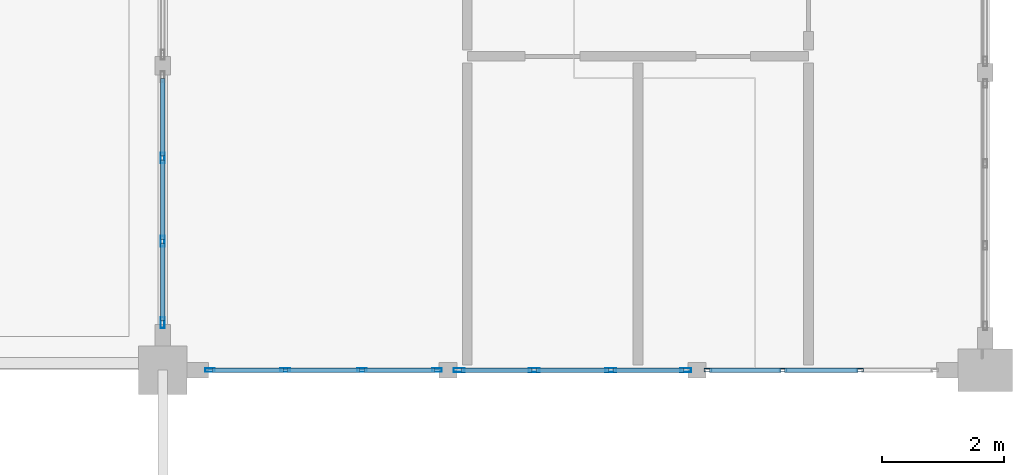
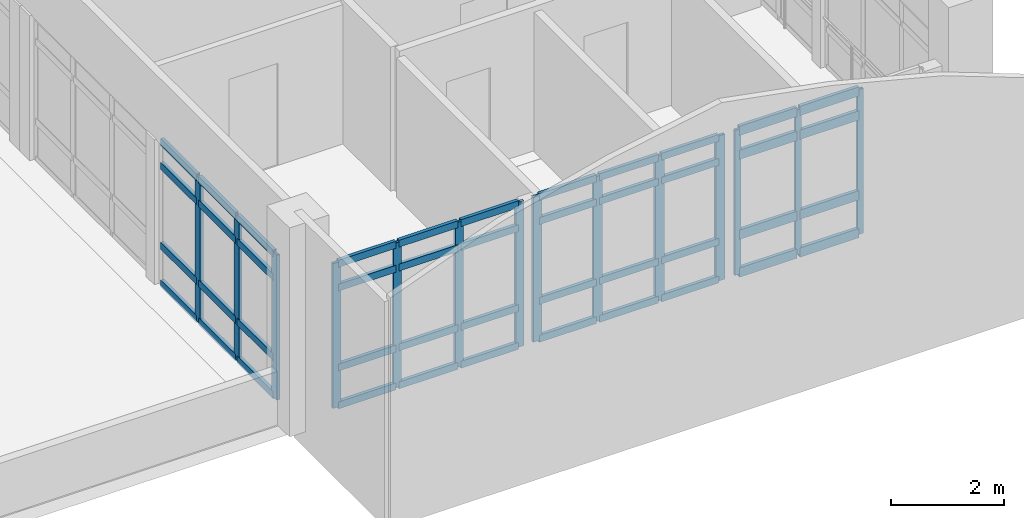
# One storey, part 2 of 37: 58 members, 4 elements without a shape of their own.
"""IFC4 building model written with IfcOpenShell, lengths in metres."""

from ifc_helpers import new_model, si_unit, direction, frame, origin, origin_2d, place, context, subcontext, project, spatial, hollow_rectangle, extrude, material, layer, layer_set, material_profile, profile_set, type_object, element, aggregate, save


model = new_model("IFC4")

# Units and contexts
model_context = context("Model", 3, precision=1e-05, world=origin(), true_north=direction((0.0, 1.0)))
body_context = subcontext(model_context, "Body", "Model", "MODEL_VIEW")
ifc_project = project(units=[si_unit("LENGTHUNIT", "METRE"), si_unit("AREAUNIT", "SQUARE_METRE"), si_unit("VOLUMEUNIT", "CUBIC_METRE"), si_unit("PLANEANGLEUNIT", "RADIAN"), si_unit("MASSUNIT", "GRAM", prefix="KILO")], contexts=[model_context])

# Site, building, storey
site_placement = place(None, origin())
site = spatial("IfcSite", under=ifc_project, at=site_placement, CompositionType="ELEMENT")
building_placement = place(site_placement, origin())
building = spatial("IfcBuilding", under=site, at=building_placement, Name="Fikremerkos Civic Library", CompositionType="ELEMENT")
storey_placement = place(building_placement, frame((0.0, 0.0, 23.39990234375)))
storey = spatial("IfcBuildingStorey", under=building, at=storey_placement, Name="L05", CompositionType="ELEMENT", Elevation=23.39990234375)

# Curtain wall, members
ifc_material = material(Name="Anodized aluminium Frame", Category="aluminium")
ifc_layer_1 = layer(ifc_material, 0.159912109375, Name="Anodized aluminium Frame")
ifc_layer_set_1 = layer_set([ifc_layer_1], Name="Anodized aluminium Frame")
curtain_wall_type_1 = type_object("IfcCurtainWallType", Name="Unitised curtain wall CW-17 4600x3600", PredefinedType="USERDEFINED", material=ifc_layer_set_1)
curtain_wall_1_placement = place(storey_placement, origin())
curtain_wall_1 = element("IfcCurtainWall", 1, at=curtain_wall_1_placement, inside=storey, type_object=curtain_wall_type_1, Name="Unitised curtain wall CW-17 L05 #251", ObjectType="UNITISED CURTAIN WALL", PredefinedType="USERDEFINED")
ifc_material_profile_1 = material_profile(ifc_material, hollow_rectangle(XDim=0.06494140625, YDim=0.179931640625, WallThickness=0.00439453125, at=origin_2d()), Name="ALU 180x65x4.5")
ifc_profile_set_1 = profile_set([ifc_material_profile_1], Name="Anodized aluminium Frame")
member_type_1 = type_object("IfcMemberType", Name="Curtain mullion CWM-01 ALU 180x65x4.5", PredefinedType="MULLION", material=ifc_profile_set_1)
member_1_placement = place(storey_placement, frame((27.784912109375, 12.0, 0.0), z_axis=(0.0, 0.0, 1.0), x_axis=(0.0, -1.0, 0.0)))
member_1 = element("IfcMember", 2, at=member_1_placement, type_object=member_type_1, Name="CW-17 mullion 1", PredefinedType="MULLION", context=body_context, shape_type="SweptSolid", body=[
    extrude(hollow_rectangle(XDim=0.06494140625, YDim=0.179931640625, WallThickness=0.00439453125, at=origin_2d()), origin(), (0.0, 0.0, 1.0), 3.1201171875),
])
member_2_placement = place(storey_placement, frame((26.5556640625, 12.0, 0.0), z_axis=(0.0, 0.0, 1.0), x_axis=(0.0, -1.0, 0.0)))
member_2 = element("IfcMember", 3, at=member_2_placement, type_object=member_type_1, Name="CW-17 mullion 2", PredefinedType="MULLION", context=body_context, shape_type="SweptSolid", body=[
    extrude(hollow_rectangle(XDim=0.06494140625, YDim=0.179931640625, WallThickness=0.00439453125, at=origin_2d()), origin(), (0.0, 0.0, 1.0), 3.1201171875),
])
member_3_placement = place(storey_placement, frame((25.294189453125, 12.0, 0.0), z_axis=(0.0, 0.0, 1.0), x_axis=(0.0, -1.0, 0.0)))
member_3 = element("IfcMember", 4, at=member_3_placement, type_object=member_type_1, Name="CW-17 mullion 3", PredefinedType="MULLION", context=body_context, shape_type="SweptSolid", body=[
    extrude(hollow_rectangle(XDim=0.06494140625, YDim=0.179931640625, WallThickness=0.00439453125, at=origin_2d()), origin(), (0.0, 0.0, 1.0), 3.1201171875),
])
member_4_placement = place(storey_placement, frame((24.065185546875, 12.0, 0.0), z_axis=(0.0, 0.0, 1.0), x_axis=(0.0, -1.0, 0.0)))
member_4 = element("IfcMember", 5, at=member_4_placement, type_object=member_type_1, Name="CW-17 mullion 4", PredefinedType="MULLION", context=body_context, shape_type="SweptSolid", body=[
    extrude(hollow_rectangle(XDim=0.06494140625, YDim=0.179931640625, WallThickness=0.00439453125, at=origin_2d()), origin(), (0.0, 0.0, 1.0), 3.1201171875),
])

ifc_layer_2 = layer(ifc_material, 0.159912109375, Name="Anodized aluminium Frame")
ifc_layer_set_2 = layer_set([ifc_layer_2], Name="Anodized aluminium Frame")
curtain_wall_type_2 = type_object("IfcCurtainWallType", Name="Unitised curtain wall CW-01 3600x3600", PredefinedType="USERDEFINED", material=ifc_layer_set_2)
curtain_wall_2_placement = place(storey_placement, origin())
curtain_wall_2 = element("IfcCurtainWall", 6, at=curtain_wall_2_placement, inside=storey, type_object=curtain_wall_type_2, Name="Unitised curtain wall CW-01 L05 #253", ObjectType="UNITISED CURTAIN WALL", PredefinedType="USERDEFINED")
member_5_placement = place(storey_placement, frame((19.199951171875, 12.780517578125, 0.0), z_axis=(0.0, 0.0, 1.0), x_axis=(-1.0, 0.0, 0.0)))
member_5 = element("IfcMember", 7, at=member_5_placement, type_object=member_type_1, Name="CW-01 mullion 1", PredefinedType="MULLION", context=body_context, shape_type="SweptSolid", body=[
    extrude(hollow_rectangle(XDim=0.06494140625, YDim=0.179931640625, WallThickness=0.00439453125, at=origin_2d()), origin(), (0.0, 0.0, 1.0), 3.1201171875),
])
member_6_placement = place(storey_placement, frame((19.199951171875, 14.11474609375, 0.0), z_axis=(0.0, 0.0, 1.0), x_axis=(-1.0, 0.0, 0.0)))
member_6 = element("IfcMember", 8, at=member_6_placement, type_object=member_type_1, Name="CW-01 mullion 2", PredefinedType="MULLION", context=body_context, shape_type="SweptSolid", body=[
    extrude(hollow_rectangle(XDim=0.06494140625, YDim=0.179931640625, WallThickness=0.00439453125, at=origin_2d()), origin(), (0.0, 0.0, 1.0), 3.1201171875),
])
member_7_placement = place(storey_placement, frame((19.199951171875, 15.4814453125, 0.0), z_axis=(0.0, 0.0, 1.0), x_axis=(-1.0, 0.0, 0.0)))
member_7 = element("IfcMember", 9, at=member_7_placement, type_object=member_type_1, Name="CW-01 mullion 3", PredefinedType="MULLION", context=body_context, shape_type="SweptSolid", body=[
    extrude(hollow_rectangle(XDim=0.06494140625, YDim=0.179931640625, WallThickness=0.00439453125, at=origin_2d()), origin(), (0.0, 0.0, 1.0), 3.1201171875),
])

ifc_layer_3 = layer(ifc_material, 0.159912109375, Name="Anodized aluminium Frame")
ifc_layer_set_3 = layer_set([ifc_layer_3], Name="Anodized aluminium Frame")
curtain_wall_type_3 = type_object("IfcCurtainWallType", Name="Unitised curtain wall CW-18 2700x3400", PredefinedType="USERDEFINED", material=ifc_layer_set_3)
curtain_wall_3_placement = place(storey_placement, origin())
curtain_wall_3 = element("IfcCurtainWall", 10, at=curtain_wall_3_placement, inside=storey, type_object=curtain_wall_type_3, Name="Unitised curtain wall CW-18 L05 #252", ObjectType="UNITISED CURTAIN WALL", PredefinedType="USERDEFINED")
ifc_material_profile_2 = material_profile(ifc_material, hollow_rectangle(XDim=0.06005859375, YDim=0.159912109375, WallThickness=0.00390625, at=origin_2d()), Name="ALU 160x60x4")
ifc_profile_set_2 = profile_set([ifc_material_profile_2], Name="Anodized aluminium Frame")
member_type_2 = type_object("IfcMemberType", Name="Curtain mullion CWM-02 ALU 160x60x4", PredefinedType="MULLION", material=ifc_profile_set_2)
member_8_placement = place(storey_placement, frame((23.70263671875, 12.0, 0.0), z_axis=(0.0, 0.0, 1.0), x_axis=(0.0, -1.0, 0.0)))
member_8 = element("IfcMember", 11, at=member_8_placement, type_object=member_type_2, Name="CW-18 mullion 1", PredefinedType="MULLION", context=body_context, shape_type="SweptSolid", body=[
    extrude(hollow_rectangle(XDim=0.06005859375, YDim=0.159912109375, WallThickness=0.00390625, at=origin_2d()), origin(), (0.0, 0.0, 1.0), 3.1201171875),
])
member_9_placement = place(storey_placement, frame((22.47119140625, 12.0, 0.0), z_axis=(0.0, 0.0, 1.0), x_axis=(0.0, -1.0, 0.0)))
member_9 = element("IfcMember", 12, at=member_9_placement, type_object=member_type_2, Name="CW-18 mullion 2", PredefinedType="MULLION", context=body_context, shape_type="SweptSolid", body=[
    extrude(hollow_rectangle(XDim=0.06005859375, YDim=0.159912109375, WallThickness=0.00390625, at=origin_2d()), origin(), (0.0, 0.0, 1.0), 3.1201171875),
])
member_10_placement = place(storey_placement, frame((21.20947265625, 12.0, 0.0), z_axis=(0.0, 0.0, 1.0), x_axis=(0.0, -1.0, 0.0)))
member_10 = element("IfcMember", 13, at=member_10_placement, type_object=member_type_2, Name="CW-18 mullion 3", PredefinedType="MULLION", context=body_context, shape_type="SweptSolid", body=[
    extrude(hollow_rectangle(XDim=0.06005859375, YDim=0.159912109375, WallThickness=0.00390625, at=origin_2d()), origin(), (0.0, 0.0, 1.0), 3.1201171875),
])
member_11_placement = place(storey_placement, frame((19.97802734375, 12.0, 0.0), z_axis=(0.0, 0.0, 1.0), x_axis=(0.0, -1.0, 0.0)))
member_11 = element("IfcMember", 14, at=member_11_placement, type_object=member_type_2, Name="CW-18 mullion 4", PredefinedType="MULLION", context=body_context, shape_type="SweptSolid", body=[
    extrude(hollow_rectangle(XDim=0.06005859375, YDim=0.159912109375, WallThickness=0.00390625, at=origin_2d()), origin(), (0.0, 0.0, 1.0), 3.1201171875),
])

ifc_layer_4 = layer(ifc_material, 0.159912109375, Name="Anodized aluminium Frame")
ifc_layer_set_4 = layer_set([ifc_layer_4], Name="Anodized aluminium Frame")
curtain_wall_type_4 = type_object("IfcCurtainWallType", Name="Unitised curtain wall CW-16 3100x4100", PredefinedType="USERDEFINED", material=ifc_layer_set_4)
curtain_wall_4_placement = place(storey_placement, origin())
curtain_wall_4 = element("IfcCurtainWall", 15, at=curtain_wall_4_placement, inside=storey, type_object=curtain_wall_type_4, Name="Unitised curtain wall CW-16 L05 #250", ObjectType="UNITISED CURTAIN WALL", PredefinedType="USERDEFINED")
ifc_material_profile_3 = material_profile(ifc_material, hollow_rectangle(XDim=0.06005859375, YDim=0.1201171875, WallThickness=0.00390625, at=origin_2d()), Name="ALU 120x60x4")
ifc_profile_set_3 = profile_set([ifc_material_profile_3], Name="Anodized aluminium Frame")
member_type_3 = type_object("IfcMemberType", Name="Curtain mullion CWM-04 ALU 120x60x4", PredefinedType="MULLION", material=ifc_profile_set_3)
member_12_placement = place(storey_placement, frame((30.640380859375, 12.0, 0.0), z_axis=(0.0, 0.0, 1.0), x_axis=(0.0, -1.0, 0.0)))
member_12 = element("IfcMember", 16, at=member_12_placement, type_object=member_type_3, Name="CW-16 mullion 2", PredefinedType="MULLION", context=body_context, shape_type="SweptSolid", body=[
    extrude(hollow_rectangle(XDim=0.06005859375, YDim=0.1201171875, WallThickness=0.00390625, at=origin_2d()), origin(), (0.0, 0.0, 1.0), 3.1201171875),
])
member_13_placement = place(storey_placement, frame((29.37890625, 12.0, 0.0), z_axis=(0.0, 0.0, 1.0), x_axis=(0.0, -1.0, 0.0)))
member_13 = element("IfcMember", 17, at=member_13_placement, type_object=member_type_3, Name="CW-16 mullion 3", PredefinedType="MULLION", context=body_context, shape_type="SweptSolid", body=[
    extrude(hollow_rectangle(XDim=0.06005859375, YDim=0.1201171875, WallThickness=0.00390625, at=origin_2d()), origin(), (0.0, 0.0, 1.0), 3.1201171875),
])
member_14_placement = place(storey_placement, frame((28.147216796875, 12.0, 0.0), z_axis=(0.0, 0.0, 1.0), x_axis=(0.0, -1.0, 0.0)))
member_14 = element("IfcMember", 18, at=member_14_placement, type_object=member_type_3, Name="CW-16 mullion 4", PredefinedType="MULLION", context=body_context, shape_type="SweptSolid", body=[
    extrude(hollow_rectangle(XDim=0.06005859375, YDim=0.1201171875, WallThickness=0.00390625, at=origin_2d()), origin(), (0.0, 0.0, 1.0), 3.1201171875),
])

# Member
ifc_material_profile_4 = material_profile(ifc_material, hollow_rectangle(XDim=0.070068359375, YDim=0.14990234375, WallThickness=0.00439453125, at=origin_2d()), Name="ALU 150x70x4.5")
ifc_profile_set_4 = profile_set([ifc_material_profile_4], Name="Anodized aluminium Frame")
member_type_4 = type_object("IfcMemberType", Name="Curtain transom CWT-01 ALU 150x70x4.5", PredefinedType="USERDEFINED", material=ifc_profile_set_4)
member_15_placement = place(storey_placement, frame((27.75244140625, 12.0, 0.03515625), z_axis=(-1.0, 0.0, 0.0), x_axis=(0.0, -1.0, 0.0)))
member_15 = element("IfcMember", 19, at=member_15_placement, type_object=member_type_4, Name="CW-17 transom 1.1", ObjectType="TRANSOM", PredefinedType="USERDEFINED", context=body_context, shape_type="SweptSolid", body=[
    extrude(hollow_rectangle(XDim=0.070068359375, YDim=0.14990234375, WallThickness=0.00439453125, at=origin_2d()), origin(), (0.0, 0.0, 1.0), 1.1640625),
])

member_16_placement = place(storey_placement, frame((27.75244140625, 12.0, 0.85009765625), z_axis=(-1.0, 0.0, 0.0), x_axis=(0.0, -1.0, 0.0)))
member_16 = element("IfcMember", 20, at=member_16_placement, type_object=member_type_4, Name="CW-17 transom 1.2", ObjectType="TRANSOM", PredefinedType="USERDEFINED", context=body_context, shape_type="SweptSolid", body=[
    extrude(hollow_rectangle(XDim=0.070068359375, YDim=0.14990234375, WallThickness=0.00439453125, at=origin_2d()), origin(), (0.0, 0.0, 1.0), 1.1640625),
])

member_17_placement = place(storey_placement, frame((27.75244140625, 12.0, 2.570068359375), z_axis=(-1.0, 0.0, 0.0), x_axis=(0.0, -1.0, 0.0)))
member_17 = element("IfcMember", 21, at=member_17_placement, type_object=member_type_4, Name="CW-17 transom 1.3", ObjectType="TRANSOM", PredefinedType="USERDEFINED", context=body_context, shape_type="SweptSolid", body=[
    extrude(hollow_rectangle(XDim=0.070068359375, YDim=0.14990234375, WallThickness=0.00439453125, at=origin_2d()), origin(), (0.0, 0.0, 1.0), 1.1640625),
])

member_18_placement = place(storey_placement, frame((27.75244140625, 12.0, 3.085205078125), z_axis=(-1.0, 0.0, 0.0), x_axis=(0.0, -1.0, 0.0)))
member_18 = element("IfcMember", 22, at=member_18_placement, type_object=member_type_4, Name="CW-17 transom 1.4", ObjectType="TRANSOM", PredefinedType="USERDEFINED", context=body_context, shape_type="SweptSolid", body=[
    extrude(hollow_rectangle(XDim=0.070068359375, YDim=0.14990234375, WallThickness=0.00439453125, at=origin_2d()), origin(), (0.0, 0.0, 1.0), 1.1640625),
])

member_19_placement = place(storey_placement, frame((26.523193359375, 12.0, 0.03515625), z_axis=(-1.0, 0.0, 0.0), x_axis=(0.0, -1.0, 0.0)))
member_19 = element("IfcMember", 23, at=member_19_placement, type_object=member_type_4, Name="CW-17 transom 2.1", ObjectType="TRANSOM", PredefinedType="USERDEFINED", context=body_context, shape_type="SweptSolid", body=[
    extrude(hollow_rectangle(XDim=0.070068359375, YDim=0.14990234375, WallThickness=0.00439453125, at=origin_2d()), origin(), (0.0, 0.0, 1.0), 1.196533203125),
])

member_20_placement = place(storey_placement, frame((26.523193359375, 12.0, 0.85009765625), z_axis=(-1.0, 0.0, 0.0), x_axis=(0.0, -1.0, 0.0)))
member_20 = element("IfcMember", 24, at=member_20_placement, type_object=member_type_4, Name="CW-17 transom 2.2", ObjectType="TRANSOM", PredefinedType="USERDEFINED", context=body_context, shape_type="SweptSolid", body=[
    extrude(hollow_rectangle(XDim=0.070068359375, YDim=0.14990234375, WallThickness=0.00439453125, at=origin_2d()), origin(), (0.0, 0.0, 1.0), 1.196533203125),
])

member_21_placement = place(storey_placement, frame((26.523193359375, 12.0, 2.570068359375), z_axis=(-1.0, 0.0, 0.0), x_axis=(0.0, -1.0, 0.0)))
member_21 = element("IfcMember", 25, at=member_21_placement, type_object=member_type_4, Name="CW-17 transom 2.3", ObjectType="TRANSOM", PredefinedType="USERDEFINED", context=body_context, shape_type="SweptSolid", body=[
    extrude(hollow_rectangle(XDim=0.070068359375, YDim=0.14990234375, WallThickness=0.00439453125, at=origin_2d()), origin(), (0.0, 0.0, 1.0), 1.196533203125),
])

member_22_placement = place(storey_placement, frame((26.523193359375, 12.0, 3.085205078125), z_axis=(-1.0, 0.0, 0.0), x_axis=(0.0, -1.0, 0.0)))
member_22 = element("IfcMember", 26, at=member_22_placement, type_object=member_type_4, Name="CW-17 transom 2.4", ObjectType="TRANSOM", PredefinedType="USERDEFINED", context=body_context, shape_type="SweptSolid", body=[
    extrude(hollow_rectangle(XDim=0.070068359375, YDim=0.14990234375, WallThickness=0.00439453125, at=origin_2d()), origin(), (0.0, 0.0, 1.0), 1.196533203125),
])

member_23_placement = place(storey_placement, frame((25.26171875, 12.0, 0.03515625), z_axis=(-1.0, 0.0, 0.0), x_axis=(0.0, -1.0, 0.0)))
member_23 = element("IfcMember", 27, at=member_23_placement, type_object=member_type_4, Name="CW-17 transom 3.1", ObjectType="TRANSOM", PredefinedType="USERDEFINED", context=body_context, shape_type="SweptSolid", body=[
    extrude(hollow_rectangle(XDim=0.070068359375, YDim=0.14990234375, WallThickness=0.00439453125, at=origin_2d()), origin(), (0.0, 0.0, 1.0), 1.1640625),
])

member_24_placement = place(storey_placement, frame((25.26171875, 12.0, 0.85009765625), z_axis=(-1.0, 0.0, 0.0), x_axis=(0.0, -1.0, 0.0)))
member_24 = element("IfcMember", 28, at=member_24_placement, type_object=member_type_4, Name="CW-17 transom 3.2", ObjectType="TRANSOM", PredefinedType="USERDEFINED", context=body_context, shape_type="SweptSolid", body=[
    extrude(hollow_rectangle(XDim=0.070068359375, YDim=0.14990234375, WallThickness=0.00439453125, at=origin_2d()), origin(), (0.0, 0.0, 1.0), 1.1640625),
])

member_25_placement = place(storey_placement, frame((25.26171875, 12.0, 2.570068359375), z_axis=(-1.0, 0.0, 0.0), x_axis=(0.0, -1.0, 0.0)))
member_25 = element("IfcMember", 29, at=member_25_placement, type_object=member_type_4, Name="CW-17 transom 3.3", ObjectType="TRANSOM", PredefinedType="USERDEFINED", context=body_context, shape_type="SweptSolid", body=[
    extrude(hollow_rectangle(XDim=0.070068359375, YDim=0.14990234375, WallThickness=0.00439453125, at=origin_2d()), origin(), (0.0, 0.0, 1.0), 1.1640625),
])

member_26_placement = place(storey_placement, frame((25.26171875, 12.0, 3.085205078125), z_axis=(-1.0, 0.0, 0.0), x_axis=(0.0, -1.0, 0.0)))
member_26 = element("IfcMember", 30, at=member_26_placement, type_object=member_type_4, Name="CW-17 transom 3.4", ObjectType="TRANSOM", PredefinedType="USERDEFINED", context=body_context, shape_type="SweptSolid", body=[
    extrude(hollow_rectangle(XDim=0.070068359375, YDim=0.14990234375, WallThickness=0.00439453125, at=origin_2d()), origin(), (0.0, 0.0, 1.0), 1.1640625),
])

aggregate(curtain_wall_1, [member_1, member_2, member_3, member_4, member_15, member_16, member_17, member_18, member_19, member_20, member_21, member_22, member_23, member_24, member_25, member_26])

member_27_placement = place(storey_placement, frame((23.672607421875, 12.0, 0.03515625), z_axis=(-1.0, 0.0, 0.0), x_axis=(0.0, -1.0, 0.0)))
member_27 = element("IfcMember", 31, at=member_27_placement, type_object=member_type_4, Name="CW-18 transom 1.1", ObjectType="TRANSOM", PredefinedType="USERDEFINED", context=body_context, shape_type="SweptSolid", body=[
    extrude(hollow_rectangle(XDim=0.070068359375, YDim=0.14990234375, WallThickness=0.00439453125, at=origin_2d()), origin(), (0.0, 0.0, 1.0), 1.17138671875),
])

member_28_placement = place(storey_placement, frame((23.672607421875, 12.0, 0.85009765625), z_axis=(-1.0, 0.0, 0.0), x_axis=(0.0, -1.0, 0.0)))
member_28 = element("IfcMember", 32, at=member_28_placement, type_object=member_type_4, Name="CW-18 transom 1.2", ObjectType="TRANSOM", PredefinedType="USERDEFINED", context=body_context, shape_type="SweptSolid", body=[
    extrude(hollow_rectangle(XDim=0.070068359375, YDim=0.14990234375, WallThickness=0.00439453125, at=origin_2d()), origin(), (0.0, 0.0, 1.0), 1.17138671875),
])

member_29_placement = place(storey_placement, frame((23.672607421875, 12.0, 2.570068359375), z_axis=(-1.0, 0.0, 0.0), x_axis=(0.0, -1.0, 0.0)))
member_29 = element("IfcMember", 33, at=member_29_placement, type_object=member_type_4, Name="CW-18 transom 1.3", ObjectType="TRANSOM", PredefinedType="USERDEFINED", context=body_context, shape_type="SweptSolid", body=[
    extrude(hollow_rectangle(XDim=0.070068359375, YDim=0.14990234375, WallThickness=0.00439453125, at=origin_2d()), origin(), (0.0, 0.0, 1.0), 1.17138671875),
])

member_30_placement = place(storey_placement, frame((23.672607421875, 12.0, 3.085205078125), z_axis=(-1.0, 0.0, 0.0), x_axis=(0.0, -1.0, 0.0)))
member_30 = element("IfcMember", 34, at=member_30_placement, type_object=member_type_4, Name="CW-18 transom 1.4", ObjectType="TRANSOM", PredefinedType="USERDEFINED", context=body_context, shape_type="SweptSolid", body=[
    extrude(hollow_rectangle(XDim=0.070068359375, YDim=0.14990234375, WallThickness=0.00439453125, at=origin_2d()), origin(), (0.0, 0.0, 1.0), 1.17138671875),
])

member_31_placement = place(storey_placement, frame((22.441162109375, 12.0, 0.03515625), z_axis=(-1.0, 0.0, 0.0), x_axis=(0.0, -1.0, 0.0)))
member_31 = element("IfcMember", 35, at=member_31_placement, type_object=member_type_4, Name="CW-18 transom 2.1", ObjectType="TRANSOM", PredefinedType="USERDEFINED", context=body_context, shape_type="SweptSolid", body=[
    extrude(hollow_rectangle(XDim=0.070068359375, YDim=0.14990234375, WallThickness=0.00439453125, at=origin_2d()), origin(), (0.0, 0.0, 1.0), 1.20166015625),
])

member_32_placement = place(storey_placement, frame((22.441162109375, 12.0, 0.85009765625), z_axis=(-1.0, 0.0, 0.0), x_axis=(0.0, -1.0, 0.0)))
member_32 = element("IfcMember", 36, at=member_32_placement, type_object=member_type_4, Name="CW-18 transom 2.2", ObjectType="TRANSOM", PredefinedType="USERDEFINED", context=body_context, shape_type="SweptSolid", body=[
    extrude(hollow_rectangle(XDim=0.070068359375, YDim=0.14990234375, WallThickness=0.00439453125, at=origin_2d()), origin(), (0.0, 0.0, 1.0), 1.20166015625),
])

member_33_placement = place(storey_placement, frame((22.441162109375, 12.0, 2.570068359375), z_axis=(-1.0, 0.0, 0.0), x_axis=(0.0, -1.0, 0.0)))
member_33 = element("IfcMember", 37, at=member_33_placement, type_object=member_type_4, Name="CW-18 transom 2.3", ObjectType="TRANSOM", PredefinedType="USERDEFINED", context=body_context, shape_type="SweptSolid", body=[
    extrude(hollow_rectangle(XDim=0.070068359375, YDim=0.14990234375, WallThickness=0.00439453125, at=origin_2d()), origin(), (0.0, 0.0, 1.0), 1.20166015625),
])

member_34_placement = place(storey_placement, frame((22.441162109375, 12.0, 3.085205078125), z_axis=(-1.0, 0.0, 0.0), x_axis=(0.0, -1.0, 0.0)))
member_34 = element("IfcMember", 38, at=member_34_placement, type_object=member_type_4, Name="CW-18 transom 2.4", ObjectType="TRANSOM", PredefinedType="USERDEFINED", context=body_context, shape_type="SweptSolid", body=[
    extrude(hollow_rectangle(XDim=0.070068359375, YDim=0.14990234375, WallThickness=0.00439453125, at=origin_2d()), origin(), (0.0, 0.0, 1.0), 1.20166015625),
])

member_35_placement = place(storey_placement, frame((21.179443359375, 12.0, 0.03515625), z_axis=(-1.0, 0.0, 0.0), x_axis=(0.0, -1.0, 0.0)))
member_35 = element("IfcMember", 39, at=member_35_placement, type_object=member_type_4, Name="CW-18 transom 3.1", ObjectType="TRANSOM", PredefinedType="USERDEFINED", context=body_context, shape_type="SweptSolid", body=[
    extrude(hollow_rectangle(XDim=0.070068359375, YDim=0.14990234375, WallThickness=0.00439453125, at=origin_2d()), origin(), (0.0, 0.0, 1.0), 1.17138671875),
])

member_36_placement = place(storey_placement, frame((21.179443359375, 12.0, 0.85009765625), z_axis=(-1.0, 0.0, 0.0), x_axis=(0.0, -1.0, 0.0)))
member_36 = element("IfcMember", 40, at=member_36_placement, type_object=member_type_4, Name="CW-18 transom 3.2", ObjectType="TRANSOM", PredefinedType="USERDEFINED", context=body_context, shape_type="SweptSolid", body=[
    extrude(hollow_rectangle(XDim=0.070068359375, YDim=0.14990234375, WallThickness=0.00439453125, at=origin_2d()), origin(), (0.0, 0.0, 1.0), 1.17138671875),
])

member_37_placement = place(storey_placement, frame((21.179443359375, 12.0, 2.570068359375), z_axis=(-1.0, 0.0, 0.0), x_axis=(0.0, -1.0, 0.0)))
member_37 = element("IfcMember", 41, at=member_37_placement, type_object=member_type_4, Name="CW-18 transom 3.3", ObjectType="TRANSOM", PredefinedType="USERDEFINED", context=body_context, shape_type="SweptSolid", body=[
    extrude(hollow_rectangle(XDim=0.070068359375, YDim=0.14990234375, WallThickness=0.00439453125, at=origin_2d()), origin(), (0.0, 0.0, 1.0), 1.17138671875),
])

member_38_placement = place(storey_placement, frame((21.179443359375, 12.0, 3.085205078125), z_axis=(-1.0, 0.0, 0.0), x_axis=(0.0, -1.0, 0.0)))
member_38 = element("IfcMember", 42, at=member_38_placement, type_object=member_type_4, Name="CW-18 transom 3.4", ObjectType="TRANSOM", PredefinedType="USERDEFINED", context=body_context, shape_type="SweptSolid", body=[
    extrude(hollow_rectangle(XDim=0.070068359375, YDim=0.14990234375, WallThickness=0.00439453125, at=origin_2d()), origin(), (0.0, 0.0, 1.0), 1.17138671875),
])

aggregate(curtain_wall_3, [member_8, member_9, member_10, member_11, member_27, member_28, member_29, member_30, member_31, member_32, member_33, member_34, member_35, member_36, member_37, member_38])

member_39_placement = place(storey_placement, frame((19.199951171875, 12.81298828125, 0.03515625), z_axis=(0.0, 1.0, 0.0), x_axis=(-1.0, 0.0, 0.0)))
member_39 = element("IfcMember", 43, at=member_39_placement, type_object=member_type_4, Name="CW-01 transom 1.1", ObjectType="TRANSOM", PredefinedType="USERDEFINED", context=body_context, shape_type="SweptSolid", body=[
    extrude(hollow_rectangle(XDim=0.070068359375, YDim=0.14990234375, WallThickness=0.00439453125, at=origin_2d()), origin(), (0.0, 0.0, 1.0), 1.269287109375),
])

member_40_placement = place(storey_placement, frame((19.199951171875, 12.81298828125, 0.85009765625), z_axis=(0.0, 1.0, 0.0), x_axis=(-1.0, 0.0, 0.0)))
member_40 = element("IfcMember", 44, at=member_40_placement, type_object=member_type_4, Name="CW-01 transom 1.2", ObjectType="TRANSOM", PredefinedType="USERDEFINED", context=body_context, shape_type="SweptSolid", body=[
    extrude(hollow_rectangle(XDim=0.070068359375, YDim=0.14990234375, WallThickness=0.00439453125, at=origin_2d()), origin(), (0.0, 0.0, 1.0), 1.269287109375),
])

member_41_placement = place(storey_placement, frame((19.199951171875, 12.81298828125, 2.570068359375), z_axis=(0.0, 1.0, 0.0), x_axis=(-1.0, 0.0, 0.0)))
member_41 = element("IfcMember", 45, at=member_41_placement, type_object=member_type_4, Name="CW-01 transom 1.3", ObjectType="TRANSOM", PredefinedType="USERDEFINED", context=body_context, shape_type="SweptSolid", body=[
    extrude(hollow_rectangle(XDim=0.070068359375, YDim=0.14990234375, WallThickness=0.00439453125, at=origin_2d()), origin(), (0.0, 0.0, 1.0), 1.269287109375),
])

member_42_placement = place(storey_placement, frame((19.199951171875, 12.81298828125, 3.085205078125), z_axis=(0.0, 1.0, 0.0), x_axis=(-1.0, 0.0, 0.0)))
member_42 = element("IfcMember", 46, at=member_42_placement, type_object=member_type_4, Name="CW-01 transom 1.4", ObjectType="TRANSOM", PredefinedType="USERDEFINED", context=body_context, shape_type="SweptSolid", body=[
    extrude(hollow_rectangle(XDim=0.070068359375, YDim=0.14990234375, WallThickness=0.00439453125, at=origin_2d()), origin(), (0.0, 0.0, 1.0), 1.269287109375),
])

member_43_placement = place(storey_placement, frame((19.199951171875, 14.147216796875, 0.03515625), z_axis=(0.0, 1.0, 0.0), x_axis=(-1.0, 0.0, 0.0)))
member_43 = element("IfcMember", 47, at=member_43_placement, type_object=member_type_4, Name="CW-01 transom 2.1", ObjectType="TRANSOM", PredefinedType="USERDEFINED", context=body_context, shape_type="SweptSolid", body=[
    extrude(hollow_rectangle(XDim=0.070068359375, YDim=0.14990234375, WallThickness=0.00439453125, at=origin_2d()), origin(), (0.0, 0.0, 1.0), 1.301513671875),
])

member_44_placement = place(storey_placement, frame((19.199951171875, 14.147216796875, 0.85009765625), z_axis=(0.0, 1.0, 0.0), x_axis=(-1.0, 0.0, 0.0)))
member_44 = element("IfcMember", 48, at=member_44_placement, type_object=member_type_4, Name="CW-01 transom 2.2", ObjectType="TRANSOM", PredefinedType="USERDEFINED", context=body_context, shape_type="SweptSolid", body=[
    extrude(hollow_rectangle(XDim=0.070068359375, YDim=0.14990234375, WallThickness=0.00439453125, at=origin_2d()), origin(), (0.0, 0.0, 1.0), 1.301513671875),
])

member_45_placement = place(storey_placement, frame((19.199951171875, 14.147216796875, 2.570068359375), z_axis=(0.0, 1.0, 0.0), x_axis=(-1.0, 0.0, 0.0)))
member_45 = element("IfcMember", 49, at=member_45_placement, type_object=member_type_4, Name="CW-01 transom 2.3", ObjectType="TRANSOM", PredefinedType="USERDEFINED", context=body_context, shape_type="SweptSolid", body=[
    extrude(hollow_rectangle(XDim=0.070068359375, YDim=0.14990234375, WallThickness=0.00439453125, at=origin_2d()), origin(), (0.0, 0.0, 1.0), 1.301513671875),
])

member_46_placement = place(storey_placement, frame((19.199951171875, 14.147216796875, 3.085205078125), z_axis=(0.0, 1.0, 0.0), x_axis=(-1.0, 0.0, 0.0)))
member_46 = element("IfcMember", 50, at=member_46_placement, type_object=member_type_4, Name="CW-01 transom 2.4", ObjectType="TRANSOM", PredefinedType="USERDEFINED", context=body_context, shape_type="SweptSolid", body=[
    extrude(hollow_rectangle(XDim=0.070068359375, YDim=0.14990234375, WallThickness=0.00439453125, at=origin_2d()), origin(), (0.0, 0.0, 1.0), 1.301513671875),
])

member_47_placement = place(storey_placement, frame((19.199951171875, 15.513916015625, 0.03515625), z_axis=(0.0, 1.0, 0.0), x_axis=(-1.0, 0.0, 0.0)))
member_47 = element("IfcMember", 51, at=member_47_placement, type_object=member_type_4, Name="CW-01 transom 3.1", ObjectType="TRANSOM", PredefinedType="USERDEFINED", context=body_context, shape_type="SweptSolid", body=[
    extrude(hollow_rectangle(XDim=0.070068359375, YDim=0.14990234375, WallThickness=0.00439453125, at=origin_2d()), origin(), (0.0, 0.0, 1.0), 1.26904296875),
])

member_48_placement = place(storey_placement, frame((19.199951171875, 15.513916015625, 0.85009765625), z_axis=(0.0, 1.0, 0.0), x_axis=(-1.0, 0.0, 0.0)))
member_48 = element("IfcMember", 52, at=member_48_placement, type_object=member_type_4, Name="CW-01 transom 3.2", ObjectType="TRANSOM", PredefinedType="USERDEFINED", context=body_context, shape_type="SweptSolid", body=[
    extrude(hollow_rectangle(XDim=0.070068359375, YDim=0.14990234375, WallThickness=0.00439453125, at=origin_2d()), origin(), (0.0, 0.0, 1.0), 1.26904296875),
])

member_49_placement = place(storey_placement, frame((19.199951171875, 15.513916015625, 2.570068359375), z_axis=(0.0, 1.0, 0.0), x_axis=(-1.0, 0.0, 0.0)))
member_49 = element("IfcMember", 53, at=member_49_placement, type_object=member_type_4, Name="CW-01 transom 3.3", ObjectType="TRANSOM", PredefinedType="USERDEFINED", context=body_context, shape_type="SweptSolid", body=[
    extrude(hollow_rectangle(XDim=0.070068359375, YDim=0.14990234375, WallThickness=0.00439453125, at=origin_2d()), origin(), (0.0, 0.0, 1.0), 1.26904296875),
])

member_50_placement = place(storey_placement, frame((19.199951171875, 15.513916015625, 3.085205078125), z_axis=(0.0, 1.0, 0.0), x_axis=(-1.0, 0.0, 0.0)))
member_50 = element("IfcMember", 54, at=member_50_placement, type_object=member_type_4, Name="CW-01 transom 3.4", ObjectType="TRANSOM", PredefinedType="USERDEFINED", context=body_context, shape_type="SweptSolid", body=[
    extrude(hollow_rectangle(XDim=0.070068359375, YDim=0.14990234375, WallThickness=0.00439453125, at=origin_2d()), origin(), (0.0, 0.0, 1.0), 1.26904296875),
])

aggregate(curtain_wall_2, [member_5, member_6, member_7, member_39, member_40, member_41, member_42, member_43, member_44, member_45, member_46, member_47, member_48, member_49, member_50])

ifc_material_profile_5 = material_profile(ifc_material, hollow_rectangle(XDim=0.070068359375, YDim=0.199951171875, WallThickness=0.0048828125, at=origin_2d()), Name="ALU 200x70x5")
ifc_profile_set_5 = profile_set([ifc_material_profile_5], Name="Anodized aluminium Frame")
member_type_5 = type_object("IfcMemberType", Name="Curtain transom CWT-04 ALU 200x70x5", PredefinedType="USERDEFINED", material=ifc_profile_set_5)
member_51_placement = place(storey_placement, frame((30.6103515625, 12.0, 0.03515625), z_axis=(-1.0, 0.0, 0.0), x_axis=(0.0, -1.0, 0.0)))
member_51 = element("IfcMember", 55, at=member_51_placement, type_object=member_type_5, Name="CW-16 transom 2.1", ObjectType="TRANSOM", PredefinedType="USERDEFINED", context=body_context, shape_type="SweptSolid", body=[
    extrude(hollow_rectangle(XDim=0.070068359375, YDim=0.199951171875, WallThickness=0.0048828125, at=origin_2d()), origin(), (0.0, 0.0, 1.0), 1.201416015625),
])

member_52_placement = place(storey_placement, frame((30.6103515625, 12.0, 0.85009765625), z_axis=(-1.0, 0.0, 0.0), x_axis=(0.0, -1.0, 0.0)))
member_52 = element("IfcMember", 56, at=member_52_placement, type_object=member_type_5, Name="CW-16 transom 2.2", ObjectType="TRANSOM", PredefinedType="USERDEFINED", context=body_context, shape_type="SweptSolid", body=[
    extrude(hollow_rectangle(XDim=0.070068359375, YDim=0.199951171875, WallThickness=0.0048828125, at=origin_2d()), origin(), (0.0, 0.0, 1.0), 1.201416015625),
])

member_53_placement = place(storey_placement, frame((30.6103515625, 12.0, 2.570068359375), z_axis=(-1.0, 0.0, 0.0), x_axis=(0.0, -1.0, 0.0)))
member_53 = element("IfcMember", 57, at=member_53_placement, type_object=member_type_5, Name="CW-16 transom 2.3", ObjectType="TRANSOM", PredefinedType="USERDEFINED", context=body_context, shape_type="SweptSolid", body=[
    extrude(hollow_rectangle(XDim=0.070068359375, YDim=0.199951171875, WallThickness=0.0048828125, at=origin_2d()), origin(), (0.0, 0.0, 1.0), 1.201416015625),
])

member_54_placement = place(storey_placement, frame((30.6103515625, 12.0, 3.085205078125), z_axis=(-1.0, 0.0, 0.0), x_axis=(0.0, -1.0, 0.0)))
member_54 = element("IfcMember", 58, at=member_54_placement, type_object=member_type_5, Name="CW-16 transom 2.4", ObjectType="TRANSOM", PredefinedType="USERDEFINED", context=body_context, shape_type="SweptSolid", body=[
    extrude(hollow_rectangle(XDim=0.070068359375, YDim=0.199951171875, WallThickness=0.0048828125, at=origin_2d()), origin(), (0.0, 0.0, 1.0), 1.201416015625),
])

member_55_placement = place(storey_placement, frame((29.348876953125, 12.0, 0.03515625), z_axis=(-1.0, 0.0, 0.0), x_axis=(0.0, -1.0, 0.0)))
member_55 = element("IfcMember", 59, at=member_55_placement, type_object=member_type_5, Name="CW-16 transom 3.1", ObjectType="TRANSOM", PredefinedType="USERDEFINED", context=body_context, shape_type="SweptSolid", body=[
    extrude(hollow_rectangle(XDim=0.070068359375, YDim=0.199951171875, WallThickness=0.0048828125, at=origin_2d()), origin(), (0.0, 0.0, 1.0), 1.171630859375),
])

member_56_placement = place(storey_placement, frame((29.348876953125, 12.0, 0.85009765625), z_axis=(-1.0, 0.0, 0.0), x_axis=(0.0, -1.0, 0.0)))
member_56 = element("IfcMember", 60, at=member_56_placement, type_object=member_type_5, Name="CW-16 transom 3.2", ObjectType="TRANSOM", PredefinedType="USERDEFINED", context=body_context, shape_type="SweptSolid", body=[
    extrude(hollow_rectangle(XDim=0.070068359375, YDim=0.199951171875, WallThickness=0.0048828125, at=origin_2d()), origin(), (0.0, 0.0, 1.0), 1.171630859375),
])

member_57_placement = place(storey_placement, frame((29.348876953125, 12.0, 2.570068359375), z_axis=(-1.0, 0.0, 0.0), x_axis=(0.0, -1.0, 0.0)))
member_57 = element("IfcMember", 61, at=member_57_placement, type_object=member_type_5, Name="CW-16 transom 3.3", ObjectType="TRANSOM", PredefinedType="USERDEFINED", context=body_context, shape_type="SweptSolid", body=[
    extrude(hollow_rectangle(XDim=0.070068359375, YDim=0.199951171875, WallThickness=0.0048828125, at=origin_2d()), origin(), (0.0, 0.0, 1.0), 1.171630859375),
])

member_58_placement = place(storey_placement, frame((29.348876953125, 12.0, 3.085205078125), z_axis=(-1.0, 0.0, 0.0), x_axis=(0.0, -1.0, 0.0)))
member_58 = element("IfcMember", 62, at=member_58_placement, type_object=member_type_5, Name="CW-16 transom 3.4", ObjectType="TRANSOM", PredefinedType="USERDEFINED", context=body_context, shape_type="SweptSolid", body=[
    extrude(hollow_rectangle(XDim=0.070068359375, YDim=0.199951171875, WallThickness=0.0048828125, at=origin_2d()), origin(), (0.0, 0.0, 1.0), 1.171630859375),
])

aggregate(curtain_wall_4, [member_12, member_13, member_14, member_51, member_52, member_53, member_54, member_55, member_56, member_57, member_58])

save(model, "model.ifc")
